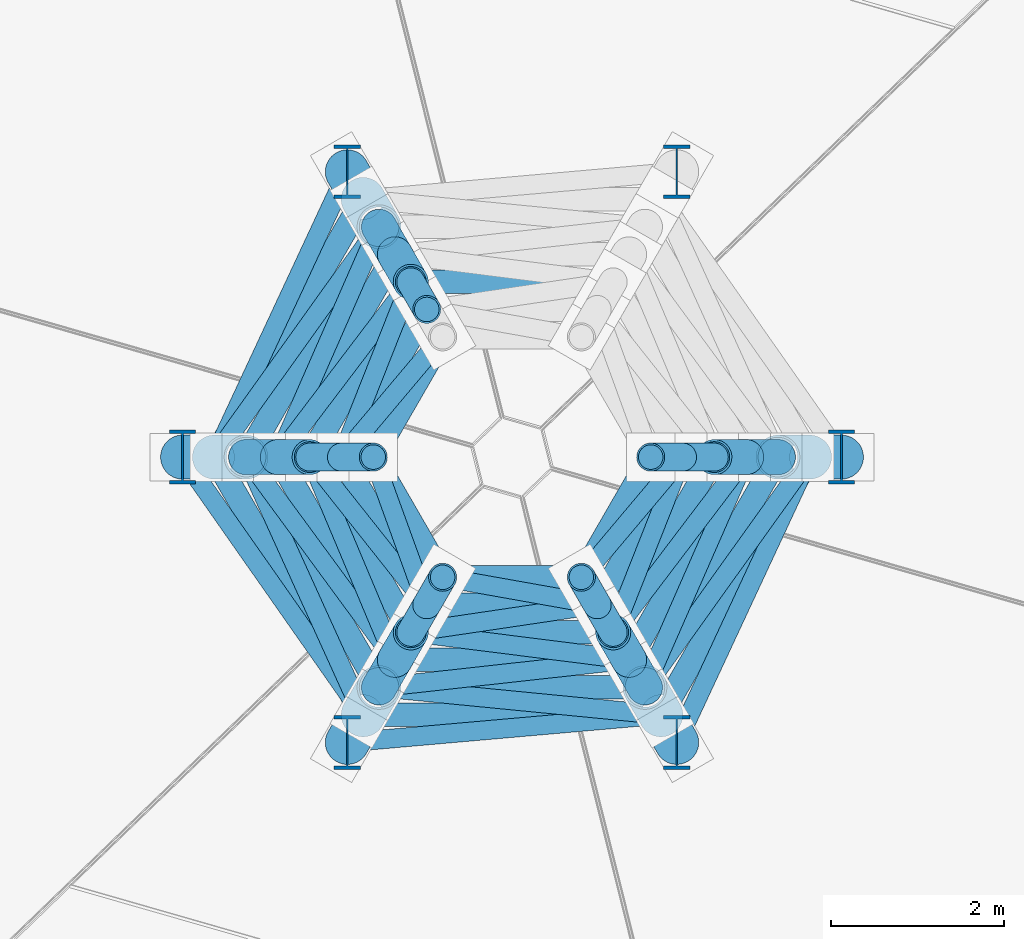
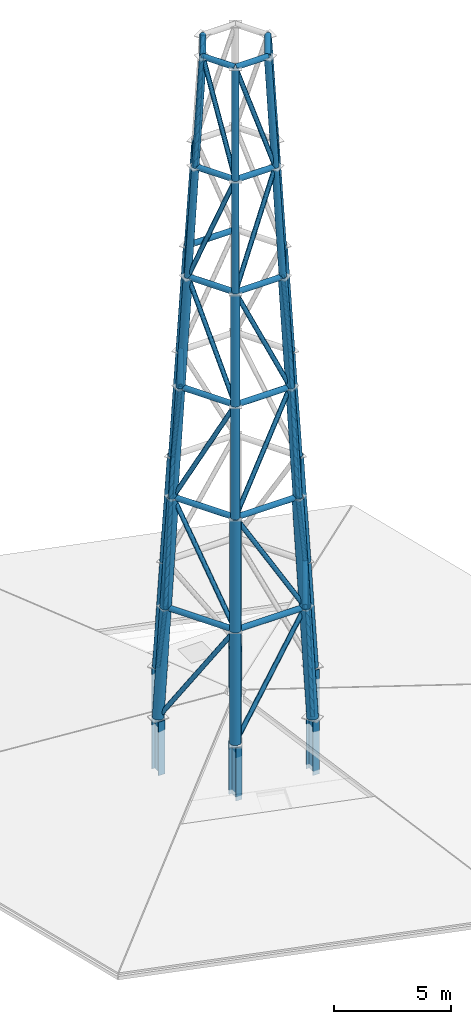
# One storey, part 1 of 4: 78 members, 6 columns.
"""IFC4 building model written with IfcOpenShell, lengths in metres."""

from ifc_helpers import new_model, si_unit, direction, frame, origin, origin_2d, place, context, subcontext, project, spatial, hollow_circle, i_section, extrude, material, material_profile, profile_set, type_object, element, save


model = new_model("IFC4")

# Units and contexts
model_context = context("Model", 3, precision=1e-05, world=origin(), true_north=direction((0.0, 1.0)))
body_context = subcontext(model_context, "Body", "Model", "MODEL_VIEW")
ifc_project = project(units=[si_unit("LENGTHUNIT", "METRE"), si_unit("AREAUNIT", "SQUARE_METRE"), si_unit("VOLUMEUNIT", "CUBIC_METRE"), si_unit("PLANEANGLEUNIT", "RADIAN"), si_unit("MASSUNIT", "GRAM", prefix="KILO")], contexts=[model_context])

# Site, building, storey
site_placement = place(None, origin())
site = spatial("IfcSite", under=ifc_project, at=site_placement, CompositionType="ELEMENT")
building_placement = place(site_placement, origin())
building = spatial("IfcBuilding", under=site, at=building_placement, Name="Kranzbogen Civic Tower", CompositionType="ELEMENT")
storey_placement = place(building_placement, frame((0.0, 0.0, 327.0)))
storey = spatial("IfcBuildingStorey", under=building, at=storey_placement, Name="Roof Crown", CompositionType="ELEMENT", Elevation=327.0)

# Columns
ifc_material = material(Name="Steel S355", Category="steel")
ifc_material_profile_1 = material_profile(ifc_material, i_section(OverallWidth=0.304931640625, OverallDepth=0.6201171875, WebThickness=0.02099609375, FlangeThickness=0.0400390625, at=origin_2d()), Name="HEM 600")
ifc_profile_set_1 = profile_set([ifc_material_profile_1], Name="Steel S355")
column_type = type_object("IfcColumnType", Name="Structural Column HEM 600", PredefinedType="COLUMN", material=ifc_profile_set_1)
for number, where, z_axis, x_axis, name in (
    (1, (28.800048828125, 25.0, -0.22998046875), (0.0, 0.0, 1.0), (1.0, 0.0, 0.0), "Broadcast Mast anchor pedestal 1"),
    (2, (26.89990234375, 28.291015625, -0.22998046875), (0.0, 0.0, 1.0), (1.0, 0.0, 0.0), "Broadcast Mast anchor pedestal 2"),
    (3, (23.10009765625, 28.291015625, -0.22998046875), (0.0, 0.0, 1.0), (1.0, 0.0, 0.0), "Broadcast Mast anchor pedestal 3"),
    (4, (21.199951171875, 25.0, -0.22998046875), (0.0, 0.0, 1.0), (1.0, 0.0, 0.0), "Broadcast Mast anchor pedestal 4"),
    (5, (23.10009765625, 21.708984375, -0.22998046875), (0.0, 0.0, 1.0), (1.0, 0.0, 0.0), "Broadcast Mast anchor pedestal 5"),
    (6, (26.89990234375, 21.708984375, -0.22998046875), (0.0, 0.0, 1.0), (1.0, 0.0, 0.0), "Broadcast Mast anchor pedestal 6"),
):
    element("IfcColumn", number, at=place(storey_placement, frame(where, z_axis=z_axis, x_axis=x_axis)), inside=storey, type_object=column_type, Name=name, PredefinedType="COLUMN", context=body_context, shape_type="SweptSolid", body=[
        extrude(i_section(OverallWidth=0.304931640625, OverallDepth=0.6201171875, WebThickness=0.02099609375, FlangeThickness=0.0400390625, at=origin_2d()), origin(), (0.0, 0.0, 1.0), 2.780029296875),
    ])

# Members
ifc_material_profile_2 = material_profile(ifc_material, hollow_circle(Radius=0.136474609375, WallThickness=0.01611328125, at=origin_2d()), Name="CHS 273x16")
ifc_profile_set_2 = profile_set([ifc_material_profile_2], Name="Steel S355")
member_type_1 = type_object("IfcMemberType", Name="Broadcast Mast Horizontal Ring CHS 273x16", PredefinedType="CHORD", material=ifc_profile_set_2)
for number, where, z_axis, x_axis, name in (
    (7, (23.282958984375, 27.972900390625, 8.19189453125), (-0.499925626596, -0.866068339032, 0.0), (0.866068339032, -0.499925626596, 0.0), "MR-1: Broadcast Mast tier 1 horizontal ring 3"),
    (8, (21.56689453125, 25.0, 8.19189453125), (0.499925626596, -0.866068339032, 0.0), (0.866068339032, 0.499925626596, 0.0), "MR-1: Broadcast Mast tier 1 horizontal ring 4"),
):
    element("IfcMember", number, at=place(storey_placement, frame(where, z_axis=z_axis, x_axis=x_axis)), inside=storey, type_object=member_type_1, Name=name, PredefinedType="CHORD", context=body_context, shape_type="SweptSolid", body=[
        extrude(hollow_circle(Radius=0.136474609375, WallThickness=0.01611328125, at=origin_2d()), origin(), (0.0, 0.0, 1.0), 3.4326171875),
    ])
member_1_placement = place(storey_placement, frame((23.282958984375, 22.027099609375, 8.19189453125), z_axis=(1.0, 0.0, 0.0), x_axis=(0.0, 1.0, 0.0)))
element("IfcMember", 9, at=member_1_placement, inside=storey, type_object=member_type_1, Name="MR-1: Broadcast Mast tier 1 horizontal ring 5", PredefinedType="CHORD", context=body_context, shape_type="SweptSolid", body=[
    extrude(hollow_circle(Radius=0.136474609375, WallThickness=0.01611328125, at=origin_2d()), origin(), (0.0, 0.0, 1.0), 3.43408203125),
])
member_2_placement = place(storey_placement, frame((26.717041015625, 22.027099609375, 8.19189453125), z_axis=(0.499925626596, 0.866068339032, 0.0), x_axis=(-0.866068339032, 0.499925626596, 0.0)))
element("IfcMember", 10, at=member_2_placement, inside=storey, type_object=member_type_1, Name="MR-1: Broadcast Mast tier 1 horizontal ring 6", PredefinedType="CHORD", context=body_context, shape_type="SweptSolid", body=[
    extrude(hollow_circle(Radius=0.136474609375, WallThickness=0.01611328125, at=origin_2d()), origin(), (0.0, 0.0, 1.0), 3.4326171875),
])
for number, where, z_axis, x_axis, name in (
    (11, (23.467041015625, 27.656005859375, 13.79296875), (-0.500119776898, -0.865956239515, 0.0), (0.865956239515, -0.500119776898, 0.0), "MR-1: Broadcast Mast tier 2 horizontal ring 3"),
    (12, (21.93310546875, 25.0, 13.79296875), (0.500119776898, -0.865956239515, 0.0), (0.865956239515, 0.500119776898, 0.0), "MR-1: Broadcast Mast tier 2 horizontal ring 4"),
):
    element("IfcMember", number, at=place(storey_placement, frame(where, z_axis=z_axis, x_axis=x_axis)), inside=storey, type_object=member_type_1, Name=name, PredefinedType="CHORD", context=body_context, shape_type="SweptSolid", body=[
        extrude(hollow_circle(Radius=0.136474609375, WallThickness=0.01611328125, at=origin_2d()), origin(), (0.0, 0.0, 1.0), 3.067138671875),
    ])
member_3_placement = place(storey_placement, frame((23.467041015625, 22.343994140625, 13.79296875), z_axis=(1.0, 0.0, 0.0), x_axis=(0.0, 1.0, 0.0)))
element("IfcMember", 13, at=member_3_placement, inside=storey, type_object=member_type_1, Name="MR-1: Broadcast Mast tier 2 horizontal ring 5", PredefinedType="CHORD", context=body_context, shape_type="SweptSolid", body=[
    extrude(hollow_circle(Radius=0.136474609375, WallThickness=0.01611328125, at=origin_2d()), origin(), (0.0, 0.0, 1.0), 3.06591796875),
])
member_4_placement = place(storey_placement, frame((26.532958984375, 22.343994140625, 13.79296875), z_axis=(0.500119776898, 0.865956239515, 0.0), x_axis=(-0.865956239515, 0.500119776898, 0.0)))
element("IfcMember", 14, at=member_4_placement, inside=storey, type_object=member_type_1, Name="MR-1: Broadcast Mast tier 2 horizontal ring 6", PredefinedType="CHORD", context=body_context, shape_type="SweptSolid", body=[
    extrude(hollow_circle(Radius=0.136474609375, WallThickness=0.01611328125, at=origin_2d()), origin(), (0.0, 0.0, 1.0), 3.067138671875),
])
for number, where, z_axis, x_axis, name in (
    (15, (23.64990234375, 27.337890625, 19.39501953125), (-0.50001992892, -0.866013897511, 0.0), (0.866013897511, -0.50001992892, 0.0), "MR-1: Broadcast Mast tier 3 horizontal ring 3"),
    (16, (22.300048828125, 25.0, 19.39501953125), (0.50001992892, -0.866013897511, 0.0), (0.866013897511, 0.50001992892, 0.0), "MR-1: Broadcast Mast tier 3 horizontal ring 4"),
):
    element("IfcMember", number, at=place(storey_placement, frame(where, z_axis=z_axis, x_axis=x_axis)), inside=storey, type_object=member_type_1, Name=name, PredefinedType="CHORD", context=body_context, shape_type="SweptSolid", body=[
        extrude(hollow_circle(Radius=0.136474609375, WallThickness=0.01611328125, at=origin_2d()), origin(), (0.0, 0.0, 1.0), 2.69970703125),
    ])
member_5_placement = place(storey_placement, frame((23.64990234375, 22.662109375, 19.39501953125), z_axis=(1.0, 0.0, 0.0), x_axis=(0.0, 1.0, 0.0)))
element("IfcMember", 17, at=member_5_placement, inside=storey, type_object=member_type_1, Name="MR-1: Broadcast Mast tier 3 horizontal ring 5", PredefinedType="CHORD", context=body_context, shape_type="SweptSolid", body=[
    extrude(hollow_circle(Radius=0.136474609375, WallThickness=0.01611328125, at=origin_2d()), origin(), (0.0, 0.0, 1.0), 2.7001953125),
])
member_6_placement = place(storey_placement, frame((26.35009765625, 22.662109375, 19.39501953125), z_axis=(0.50001992892, 0.866013897511, 0.0), x_axis=(-0.866013897511, 0.50001992892, 0.0)))
element("IfcMember", 18, at=member_6_placement, inside=storey, type_object=member_type_1, Name="MR-1: Broadcast Mast tier 3 horizontal ring 6", PredefinedType="CHORD", context=body_context, shape_type="SweptSolid", body=[
    extrude(hollow_circle(Radius=0.136474609375, WallThickness=0.01611328125, at=origin_2d()), origin(), (0.0, 0.0, 1.0), 2.69970703125),
])
member_7_placement = place(storey_placement, frame((26.1669921875, 27.02099609375, 24.9970703125), z_axis=(-1.0, 0.0, 0.0), x_axis=(0.0, -1.0, 0.0)))
element("IfcMember", 19, at=member_7_placement, inside=storey, type_object=member_type_1, Name="MR-1: Broadcast Mast tier 4 horizontal ring 2", PredefinedType="CHORD", context=body_context, shape_type="SweptSolid", body=[
    extrude(hollow_circle(Radius=0.136474609375, WallThickness=0.01611328125, at=origin_2d()), origin(), (0.0, 0.0, 1.0), 2.333984375),
])
for number, where, z_axis, x_axis, name in (
    (20, (23.8330078125, 27.02099609375, 24.9970703125), (-0.499740570122, -0.866175133893, 0.0), (0.866175133893, -0.499740570122, 0.0), "MR-1: Broadcast Mast tier 4 horizontal ring 3"),
    (21, (22.6669921875, 25.0, 24.9970703125), (0.499740570122, -0.866175133893, 0.0), (0.866175133893, 0.499740570122, 0.0), "MR-1: Broadcast Mast tier 4 horizontal ring 4"),
):
    element("IfcMember", number, at=place(storey_placement, frame(where, z_axis=z_axis, x_axis=x_axis)), inside=storey, type_object=member_type_1, Name=name, PredefinedType="CHORD", context=body_context, shape_type="SweptSolid", body=[
        extrude(hollow_circle(Radius=0.136474609375, WallThickness=0.01611328125, at=origin_2d()), origin(), (0.0, 0.0, 1.0), 2.333251953125),
    ])
member_8_placement = place(storey_placement, frame((23.8330078125, 22.97900390625, 24.9970703125), z_axis=(1.0, 0.0, 0.0), x_axis=(0.0, 1.0, 0.0)))
element("IfcMember", 22, at=member_8_placement, inside=storey, type_object=member_type_1, Name="MR-1: Broadcast Mast tier 4 horizontal ring 5", PredefinedType="CHORD", context=body_context, shape_type="SweptSolid", body=[
    extrude(hollow_circle(Radius=0.136474609375, WallThickness=0.01611328125, at=origin_2d()), origin(), (0.0, 0.0, 1.0), 2.333984375),
])
member_9_placement = place(storey_placement, frame((26.1669921875, 22.97900390625, 24.9970703125), z_axis=(0.499740570122, 0.866175133893, 0.0), x_axis=(-0.866175133893, 0.499740570122, 0.0)))
element("IfcMember", 23, at=member_9_placement, inside=storey, type_object=member_type_1, Name="MR-1: Broadcast Mast tier 4 horizontal ring 6", PredefinedType="CHORD", context=body_context, shape_type="SweptSolid", body=[
    extrude(hollow_circle(Radius=0.136474609375, WallThickness=0.01611328125, at=origin_2d()), origin(), (0.0, 0.0, 1.0), 2.333251953125),
])
for number, where, z_axis, x_axis, name in (
    (24, (24.01708984375, 26.702880859375, 30.597900390625), (-0.500370658506, -0.865811298209, 0.0), (0.865811298209, -0.500370658506, 0.0), "MR-1: Broadcast Mast tier 5 horizontal ring 3"),
    (25, (23.032958984375, 25.0, 30.597900390625), (0.500370658506, -0.865811298209, 0.0), (0.865811298209, 0.500370658506, 0.0), "MR-1: Broadcast Mast tier 5 horizontal ring 4"),
):
    element("IfcMember", number, at=place(storey_placement, frame(where, z_axis=z_axis, x_axis=x_axis)), inside=storey, type_object=member_type_1, Name=name, PredefinedType="CHORD", context=body_context, shape_type="SweptSolid", body=[
        extrude(hollow_circle(Radius=0.136474609375, WallThickness=0.01611328125, at=origin_2d()), origin(), (0.0, 0.0, 1.0), 1.966796875),
    ])
member_10_placement = place(storey_placement, frame((24.01708984375, 23.297119140625, 30.597900390625), z_axis=(1.0, 0.0, 0.0), x_axis=(0.0, 1.0, 0.0)))
element("IfcMember", 26, at=member_10_placement, inside=storey, type_object=member_type_1, Name="MR-1: Broadcast Mast tier 5 horizontal ring 5", PredefinedType="CHORD", context=body_context, shape_type="SweptSolid", body=[
    extrude(hollow_circle(Radius=0.136474609375, WallThickness=0.01611328125, at=origin_2d()), origin(), (0.0, 0.0, 1.0), 1.9658203125),
])
member_11_placement = place(storey_placement, frame((25.98291015625, 23.297119140625, 30.597900390625), z_axis=(0.500370658506, 0.865811298209, 0.0), x_axis=(-0.865811298209, 0.500370658506, 0.0)))
element("IfcMember", 27, at=member_11_placement, inside=storey, type_object=member_type_1, Name="MR-1: Broadcast Mast tier 5 horizontal ring 6", PredefinedType="CHORD", context=body_context, shape_type="SweptSolid", body=[
    extrude(hollow_circle(Radius=0.136474609375, WallThickness=0.01611328125, at=origin_2d()), origin(), (0.0, 0.0, 1.0), 1.966796875),
])
for number, where, z_axis, x_axis, name in (
    (28, (24.199951171875, 26.385986328125, 36.199951171875), (-0.499929347863, -0.866066190972, 0.0), (0.866066190972, -0.499929347863, 0.0), "MR-1: Broadcast Mast tier 6 horizontal ring 3"),
    (29, (23.39990234375, 25.0, 36.199951171875), (0.499929347863, -0.866066190972, 0.0), (0.866066190972, 0.499929347863, 0.0), "MR-1: Broadcast Mast tier 6 horizontal ring 4"),
):
    element("IfcMember", number, at=place(storey_placement, frame(where, z_axis=z_axis, x_axis=x_axis)), inside=storey, type_object=member_type_1, Name=name, PredefinedType="CHORD", context=body_context, shape_type="SweptSolid", body=[
        extrude(hollow_circle(Radius=0.136474609375, WallThickness=0.01611328125, at=origin_2d()), origin(), (0.0, 0.0, 1.0), 1.600341796875),
    ])
member_12_placement = place(storey_placement, frame((24.199951171875, 23.614013671875, 36.199951171875), z_axis=(1.0, 0.0, 0.0), x_axis=(0.0, 1.0, 0.0)))
element("IfcMember", 30, at=member_12_placement, inside=storey, type_object=member_type_1, Name="MR-1: Broadcast Mast tier 6 horizontal ring 5", PredefinedType="CHORD", context=body_context, shape_type="SweptSolid", body=[
    extrude(hollow_circle(Radius=0.136474609375, WallThickness=0.01611328125, at=origin_2d()), origin(), (0.0, 0.0, 1.0), 1.60009765625),
])
member_13_placement = place(storey_placement, frame((25.800048828125, 23.614013671875, 36.199951171875), z_axis=(0.499929347863, 0.866066190972, 0.0), x_axis=(-0.866066190972, 0.499929347863, 0.0)))
element("IfcMember", 31, at=member_13_placement, inside=storey, type_object=member_type_1, Name="MR-1: Broadcast Mast tier 6 horizontal ring 6", PredefinedType="CHORD", context=body_context, shape_type="SweptSolid", body=[
    extrude(hollow_circle(Radius=0.136474609375, WallThickness=0.01611328125, at=origin_2d()), origin(), (0.0, 0.0, 1.0), 1.600341796875),
])
ifc_material_profile_3 = material_profile(ifc_material, hollow_circle(Radius=0.109619140625, WallThickness=0.012451171875, at=origin_2d()), Name="CHS 219.1x12.5")
ifc_profile_set_3 = profile_set([ifc_material_profile_3], Name="Steel S355")
member_type_2 = type_object("IfcMemberType", Name="Broadcast Mast Lattice Brace CHS 219.1x12.5", PredefinedType="BRACE", material=ifc_profile_set_3)
member_14_placement = place(storey_placement, frame((23.10009765625, 28.291015625, 2.590087890625), z_axis=(-0.229677608897, -0.49300225604, 0.839164448431), x_axis=(0.906457817196, -0.42229637181, 0.0)))
element("IfcMember", 32, at=member_14_placement, inside=storey, type_object=member_type_2, Name="MB-1: Broadcast Mast tier 1 lattice brace 3", PredefinedType="BRACE", context=body_context, shape_type="SweptSolid", body=[
    extrude(hollow_circle(Radius=0.109619140625, WallThickness=0.012451171875, at=origin_2d()), origin(), (0.0, 0.0, 1.0), 6.675537109375),
])
member_15_placement = place(storey_placement, frame((21.199951171875, 25.0, 2.590087890625), z_axis=(0.312055244236, -0.445369984653, 0.839206232886), x_axis=(0.818975905153, 0.573827906936, 0.0)))
element("IfcMember", 33, at=member_15_placement, inside=storey, type_object=member_type_2, Name="MB-1: Broadcast Mast tier 1 lattice brace 4", PredefinedType="BRACE", context=body_context, shape_type="SweptSolid", body=[
    extrude(hollow_circle(Radius=0.109619140625, WallThickness=0.012451171875, at=origin_2d()), origin(), (0.0, 0.0, 1.0), 6.675048828125),
])
for number, where, z_axis, x_axis, name in (
    (34, (23.10009765625, 21.708984375, 2.590087890625), (0.54181499186, 0.047653387404, 0.839145797383), (-0.087613189726, 0.99615457083, 0.0), "MB-1: Broadcast Mast tier 1 lattice brace 5"),
    (35, (26.89990234375, 21.708984375, 2.590087890625), (0.229677608897, 0.49300225604, 0.839164448431), (-0.906457817196, 0.42229637181, 0.0), "MB-1: Broadcast Mast tier 1 lattice brace 6"),
):
    element("IfcMember", number, at=place(storey_placement, frame(where, z_axis=z_axis, x_axis=x_axis)), inside=storey, type_object=member_type_2, Name=name, PredefinedType="BRACE", context=body_context, shape_type="SweptSolid", body=[
        extrude(hollow_circle(Radius=0.109619140625, WallThickness=0.012451171875, at=origin_2d()), origin(), (0.0, 0.0, 1.0), 6.675537109375),
    ])
member_16_placement = place(storey_placement, frame((21.56689453125, 25.0, 8.19189453125), z_axis=(0.293070058772, 0.409650413642, 0.863884528889), x_axis=(-0.813298835843, 0.581846202718, 0.0)))
element("IfcMember", 36, at=member_16_placement, inside=storey, type_object=member_type_2, Name="MB-1: Broadcast Mast tier 2 lattice brace 3", PredefinedType="BRACE", context=body_context, shape_type="SweptSolid", body=[
    extrude(hollow_circle(Radius=0.109619140625, WallThickness=0.012451171875, at=origin_2d()), origin(), (0.0, 0.0, 1.0), 6.483642578125),
])
member_17_placement = place(storey_placement, frame((23.282958984375, 22.027099609375, 8.19189453125), z_axis=(-0.208206939567, 0.458552342758, 0.863932647414), x_axis=(-0.91053541356, -0.413431083319, 0.0)))
element("IfcMember", 37, at=member_17_placement, inside=storey, type_object=member_type_2, Name="MB-1: Broadcast Mast tier 2 lattice brace 4", PredefinedType="BRACE", context=body_context, shape_type="SweptSolid", body=[
    extrude(hollow_circle(Radius=0.109619140625, WallThickness=0.012451171875, at=origin_2d()), origin(), (0.0, 0.0, 1.0), 6.483154296875),
])
member_18_placement = place(storey_placement, frame((26.717041015625, 22.027099609375, 8.19189453125), z_axis=(-0.501277336442, 0.048877552787, 0.863905097104), x_axis=(-0.097045773386, -0.995279919353, 0.0)))
element("IfcMember", 38, at=member_18_placement, inside=storey, type_object=member_type_2, Name="MB-1: Broadcast Mast tier 2 lattice brace 5", PredefinedType="BRACE", context=body_context, shape_type="SweptSolid", body=[
    extrude(hollow_circle(Radius=0.109619140625, WallThickness=0.012451171875, at=origin_2d()), origin(), (0.0, 0.0, 1.0), 6.4833984375),
])
member_19_placement = place(storey_placement, frame((28.43310546875, 25.0, 8.19189453125), z_axis=(-0.293070058772, -0.409650413642, 0.863884528889), x_axis=(0.813298835843, -0.581846202718, 0.0)))
element("IfcMember", 39, at=member_19_placement, inside=storey, type_object=member_type_2, Name="MB-1: Broadcast Mast tier 2 lattice brace 6", PredefinedType="BRACE", context=body_context, shape_type="SweptSolid", body=[
    extrude(hollow_circle(Radius=0.109619140625, WallThickness=0.012451171875, at=origin_2d()), origin(), (0.0, 0.0, 1.0), 6.483642578125),
])
member_20_placement = place(storey_placement, frame((23.467041015625, 27.656005859375, 13.79296875), z_axis=(-0.184982531388, -0.421009405643, 0.887993549212), x_axis=(0.915524619527, -0.402261943316, 0.0)))
element("IfcMember", 40, at=member_20_placement, inside=storey, type_object=member_type_2, Name="MB-1: Broadcast Mast tier 3 lattice brace 3", PredefinedType="BRACE", context=body_context, shape_type="SweptSolid", body=[
    extrude(hollow_circle(Radius=0.109619140625, WallThickness=0.012451171875, at=origin_2d()), origin(), (0.0, 0.0, 1.0), 6.30859375),
])
for number, where, z_axis, x_axis, name in (
    (41, (21.93310546875, 25.0, 13.79296875), (0.272143943414, -0.370598748881, 0.888028288621), (0.806019487862, 0.591888997352, 0.0), "MB-1: Broadcast Mast tier 3 lattice brace 4"),
    (42, (23.467041015625, 22.343994140625, 13.79296875), (0.457017099233, 0.050427070904, 0.888027297739), (-0.109673960883, 0.993967616326, 0.0), "MB-1: Broadcast Mast tier 3 lattice brace 5"),
):
    element("IfcMember", number, at=place(storey_placement, frame(where, z_axis=z_axis, x_axis=x_axis)), inside=storey, type_object=member_type_2, Name=name, PredefinedType="BRACE", context=body_context, shape_type="SweptSolid", body=[
        extrude(hollow_circle(Radius=0.109619140625, WallThickness=0.012451171875, at=origin_2d()), origin(), (0.0, 0.0, 1.0), 6.308349609375),
    ])
member_21_placement = place(storey_placement, frame((26.532958984375, 22.343994140625, 13.79296875), z_axis=(0.184982531388, 0.421009405643, 0.887993549212), x_axis=(-0.915524619527, 0.402261943316, 0.0)))
element("IfcMember", 43, at=member_21_placement, inside=storey, type_object=member_type_2, Name="MB-1: Broadcast Mast tier 3 lattice brace 6", PredefinedType="BRACE", context=body_context, shape_type="SweptSolid", body=[
    extrude(hollow_circle(Radius=0.109619140625, WallThickness=0.012451171875, at=origin_2d()), origin(), (0.0, 0.0, 1.0), 6.30859375),
])
member_22_placement = place(storey_placement, frame((22.300048828125, 25.0, 19.39501953125), z_axis=(0.249278557611, 0.328639576351, 0.910964450223), x_axis=(-0.796731220674, 0.604333816696, 0.0)))
element("IfcMember", 44, at=member_22_placement, inside=storey, type_object=member_type_2, Name="MB-1: Broadcast Mast tier 4 lattice brace 3", PredefinedType="BRACE", context=body_context, shape_type="SweptSolid", body=[
    extrude(hollow_circle(Radius=0.109619140625, WallThickness=0.012451171875, at=origin_2d()), origin(), (0.0, 0.0, 1.0), 6.149658203125),
])
member_23_placement = place(storey_placement, frame((23.64990234375, 22.662109375, 19.39501953125), z_axis=(-0.15983902284, 0.380183428394, 0.910995086459), x_axis=(-0.92184181975, -0.38756632898, 0.0)))
element("IfcMember", 45, at=member_23_placement, inside=storey, type_object=member_type_2, Name="MB-1: Broadcast Mast tier 4 lattice brace 4", PredefinedType="BRACE", context=body_context, shape_type="SweptSolid", body=[
    extrude(hollow_circle(Radius=0.109619140625, WallThickness=0.012451171875, at=origin_2d()), origin(), (0.0, 0.0, 1.0), 6.1494140625),
])
for number, where, z_axis, x_axis, name in (
    (46, (26.35009765625, 22.662109375, 19.39501953125), (-0.409301101747, 0.051529857427, 0.910943072811), (-0.124911151794, -0.99216793143, 0.0), "MB-1: Broadcast Mast tier 4 lattice brace 5"),
    (47, (27.699951171875, 25.0, 19.39501953125), (-0.249278557611, -0.328639576351, 0.910964450223), (0.796731220674, -0.604333816696, 0.0), "MB-1: Broadcast Mast tier 4 lattice brace 6"),
):
    element("IfcMember", number, at=place(storey_placement, frame(where, z_axis=z_axis, x_axis=x_axis)), inside=storey, type_object=member_type_2, Name=name, PredefinedType="BRACE", context=body_context, shape_type="SweptSolid", body=[
        extrude(hollow_circle(Radius=0.109619140625, WallThickness=0.012451171875, at=origin_2d()), origin(), (0.0, 0.0, 1.0), 6.149658203125),
    ])
member_24_placement = place(storey_placement, frame((23.8330078125, 27.02099609375, 24.9970703125), z_axis=(-0.133168094115, -0.336394715619, 0.932257933199), x_axis=(0.929795401587, -0.368076773496, 0.0)))
element("IfcMember", 48, at=member_24_placement, inside=storey, type_object=member_type_2, Name="MB-1: Broadcast Mast tier 5 lattice brace 3", PredefinedType="BRACE", context=body_context, shape_type="SweptSolid", body=[
    extrude(hollow_circle(Radius=0.109619140625, WallThickness=0.012451171875, at=origin_2d()), origin(), (0.0, 0.0, 1.0), 6.0078125),
])
member_25_placement = place(storey_placement, frame((22.6669921875, 25.0, 24.9970703125), z_axis=(0.22472972711, -0.283452051825, 0.932282942067), x_axis=(0.783601402131, 0.621263907352, 0.0)))
element("IfcMember", 49, at=member_25_placement, inside=storey, type_object=member_type_2, Name="MB-1: Broadcast Mast tier 5 lattice brace 4", PredefinedType="BRACE", context=body_context, shape_type="SweptSolid", body=[
    extrude(hollow_circle(Radius=0.109619140625, WallThickness=0.012451171875, at=origin_2d()), origin(), (0.0, 0.0, 1.0), 6.007568359375),
])
for number, where, z_axis, x_axis, name in (
    (50, (23.8330078125, 22.97900390625, 24.9970703125), (0.357857233035, 0.052951166778, 0.932273765962), (-0.146373595832, 0.989229382117, 0.0), "MB-1: Broadcast Mast tier 5 lattice brace 5"),
    (51, (26.1669921875, 22.97900390625, 24.9970703125), (0.133168094115, 0.336394715619, 0.932257933199), (-0.929795401587, 0.368076773496, 0.0), "MB-1: Broadcast Mast tier 5 lattice brace 6"),
):
    element("IfcMember", number, at=place(storey_placement, frame(where, z_axis=z_axis, x_axis=x_axis)), inside=storey, type_object=member_type_2, Name=name, PredefinedType="BRACE", context=body_context, shape_type="SweptSolid", body=[
        extrude(hollow_circle(Radius=0.109619140625, WallThickness=0.012451171875, at=origin_2d()), origin(), (0.0, 0.0, 1.0), 6.0078125),
    ])
for number, where, z_axis, x_axis, name in (
    (52, (23.032958984375, 25.0, 30.597900390625), (0.198206240321, 0.235401009687, 0.951472885024), (-0.764953127185, 0.644085951725, 0.0), "MB-1: Broadcast Mast tier 6 lattice brace 3"),
    (53, (24.01708984375, 23.297119140625, 30.597900390625), (-0.104828575511, 0.289232323652, 0.951501777566), (-0.940154957666, -0.340747201861, 0.0), "MB-1: Broadcast Mast tier 6 lattice brace 4"),
):
    element("IfcMember", number, at=place(storey_placement, frame(where, z_axis=z_axis, x_axis=x_axis)), inside=storey, type_object=member_type_2, Name=name, PredefinedType="BRACE", context=body_context, shape_type="SweptSolid", body=[
        extrude(hollow_circle(Radius=0.109619140625, WallThickness=0.012451171875, at=origin_2d()), origin(), (0.0, 0.0, 1.0), 5.8876953125),
    ])
member_26_placement = place(storey_placement, frame((25.98291015625, 23.297119140625, 30.597900390625), z_axis=(-0.302839434997, 0.05382522068, 0.951520426596), x_axis=(-0.174992676449, -0.984569735057, 0.0)))
element("IfcMember", 54, at=member_26_placement, inside=storey, type_object=member_type_2, Name="MB-1: Broadcast Mast tier 6 lattice brace 5", PredefinedType="BRACE", context=body_context, shape_type="SweptSolid", body=[
    extrude(hollow_circle(Radius=0.109619140625, WallThickness=0.012451171875, at=origin_2d()), origin(), (0.0, 0.0, 1.0), 5.887451171875),
])
member_27_placement = place(storey_placement, frame((26.967041015625, 25.0, 30.597900390625), z_axis=(-0.198206240321, -0.235401009687, 0.951472885024), x_axis=(0.764953127185, -0.644085951725, 0.0)))
element("IfcMember", 55, at=member_27_placement, inside=storey, type_object=member_type_2, Name="MB-1: Broadcast Mast tier 6 lattice brace 6", PredefinedType="BRACE", context=body_context, shape_type="SweptSolid", body=[
    extrude(hollow_circle(Radius=0.109619140625, WallThickness=0.012451171875, at=origin_2d()), origin(), (0.0, 0.0, 1.0), 5.8876953125),
])
ifc_material_profile_4 = material_profile(ifc_material, hollow_circle(Radius=0.25390625, WallThickness=0.02490234375, at=origin_2d()), Name="CHS 508x25")
ifc_profile_set_4 = profile_set([ifc_material_profile_4], Name="Steel S355")
member_type_3 = type_object("IfcMemberType", Name="Broadcast Mast Lower Leg CHS 508x25", PredefinedType="POST", material=ifc_profile_set_4)
for number, where, z_axis, x_axis, name in (
    (56, (28.800048828125, 25.0, 2.590087890625), (-0.065364383413, 0.0, 0.997861462018), (0.0, -1.0, 0.0), "Broadcast Mast tier 1 leg 1"),
    (57, (23.10009765625, 28.291015625, 2.590087890625), (0.032573474644, -0.056666538666, 0.997861649802), (0.866970988391, 0.498358611132, 0.0), "Broadcast Mast tier 1 leg 3"),
    (58, (21.199951171875, 25.0, 2.590087890625), (0.065364383413, 0.0, 0.997861462018), (0.0, 1.0, 0.0), "Broadcast Mast tier 1 leg 4"),
    (59, (23.10009765625, 21.708984375, 2.590087890625), (0.032573474644, 0.056666538666, 0.997861649802), (-0.866970988391, 0.498358611132, 0.0), "Broadcast Mast tier 1 leg 5"),
    (60, (26.89990234375, 21.708984375, 2.590087890625), (-0.032573474644, 0.056666538666, 0.997861649802), (-0.866970988391, -0.498358611132, 0.0), "Broadcast Mast tier 1 leg 6"),
):
    element("IfcMember", number, at=place(storey_placement, frame(where, z_axis=z_axis, x_axis=x_axis)), inside=storey, type_object=member_type_3, Name=name, PredefinedType="POST", context=body_context, shape_type="SweptSolid", body=[
        extrude(hollow_circle(Radius=0.25390625, WallThickness=0.02490234375, at=origin_2d()), origin(), (0.0, 0.0, 1.0), 5.61376953125),
    ])
for number, where, z_axis, x_axis, name in (
    (61, (28.43310546875, 25.0, 8.19189453125), (-0.065242965392, 0.0, 0.997869408022), (0.0, -1.0, 0.0), "Broadcast Mast tier 2 leg 1"),
    (62, (23.282958984375, 27.972900390625, 8.19189453125), (0.032795360945, -0.05645673542, 0.99786627427), (0.864695615284, 0.502296220281, 0.0), "Broadcast Mast tier 2 leg 3"),
    (63, (21.56689453125, 25.0, 8.19189453125), (0.065242965392, 0.0, 0.997869408022), (0.0, 1.0, 0.0), "Broadcast Mast tier 2 leg 4"),
    (64, (23.282958984375, 22.027099609375, 8.19189453125), (0.032795360945, 0.05645673542, 0.99786627427), (-0.864695615284, 0.502296220281, 0.0), "Broadcast Mast tier 2 leg 5"),
    (65, (26.717041015625, 22.027099609375, 8.19189453125), (-0.032795360945, 0.05645673542, 0.99786627427), (-0.864695615284, -0.502296220281, 0.0), "Broadcast Mast tier 2 leg 6"),
):
    element("IfcMember", number, at=place(storey_placement, frame(where, z_axis=z_axis, x_axis=x_axis)), inside=storey, type_object=member_type_3, Name=name, PredefinedType="POST", context=body_context, shape_type="SweptSolid", body=[
        extrude(hollow_circle(Radius=0.25390625, WallThickness=0.02490234375, at=origin_2d()), origin(), (0.0, 0.0, 1.0), 5.613037109375),
    ])
ifc_material_profile_5 = material_profile(ifc_material, hollow_circle(Radius=0.203125, WallThickness=0.02490234375, at=origin_2d()), Name="CHS 406.4x25")
ifc_profile_set_5 = profile_set([ifc_material_profile_5], Name="Steel S355")
member_type_4 = type_object("IfcMemberType", Name="Broadcast Mast Mid Leg CHS 406.4x25", PredefinedType="POST", material=ifc_profile_set_5)
for number, where, z_axis, x_axis, name in (
    (66, (28.06689453125, 25.0, 13.79296875), (-0.065361546965, 0.0, 0.997861647814), (0.0, -1.0, 0.0), "Broadcast Mast tier 3 leg 1"),
    (67, (23.467041015625, 27.656005859375, 13.79296875), (0.032572061137, -0.056664079655, 0.997861835582), (0.866970988391, 0.498358611132, 0.0), "Broadcast Mast tier 3 leg 3"),
    (68, (21.93310546875, 25.0, 13.79296875), (0.065361546965, 0.0, 0.997861647814), (0.0, 1.0, 0.0), "Broadcast Mast tier 3 leg 4"),
    (69, (23.467041015625, 22.343994140625, 13.79296875), (0.032572061137, 0.056664079655, 0.997861835582), (-0.866970988391, 0.498358611132, 0.0), "Broadcast Mast tier 3 leg 5"),
    (70, (26.532958984375, 22.343994140625, 13.79296875), (-0.032572061137, 0.056664079655, 0.997861835582), (-0.866970988391, -0.498358611132, 0.0), "Broadcast Mast tier 3 leg 6"),
    (71, (27.699951171875, 25.0, 19.39501953125), (-0.065361546965, 0.0, 0.997861647814), (0.0, -1.0, 0.0), "Broadcast Mast tier 4 leg 1"),
    (72, (23.64990234375, 27.337890625, 19.39501953125), (0.032615903392, -0.056447256803, 0.997872692304), (0.86585223051, 0.500299825025, 0.0), "Broadcast Mast tier 4 leg 3"),
    (73, (22.300048828125, 25.0, 19.39501953125), (0.065361546965, 0.0, 0.997861647814), (0.0, 1.0, 0.0), "Broadcast Mast tier 4 leg 4"),
    (74, (23.64990234375, 22.662109375, 19.39501953125), (0.032615903392, 0.056447256803, 0.997872692304), (-0.86585223051, 0.500299825025, 0.0), "Broadcast Mast tier 4 leg 5"),
    (75, (26.35009765625, 22.662109375, 19.39501953125), (-0.032615903392, 0.056447256803, 0.997872692304), (-0.86585223051, -0.500299825025, 0.0), "Broadcast Mast tier 4 leg 6"),
):
    element("IfcMember", number, at=place(storey_placement, frame(where, z_axis=z_axis, x_axis=x_axis)), inside=storey, type_object=member_type_4, Name=name, PredefinedType="POST", context=body_context, shape_type="SweptSolid", body=[
        extrude(hollow_circle(Radius=0.203125, WallThickness=0.02490234375, at=origin_2d()), origin(), (0.0, 0.0, 1.0), 5.614013671875),
    ])
ifc_material_profile_6 = material_profile(ifc_material, hollow_circle(Radius=0.161865234375, WallThickness=0.02001953125, at=origin_2d()), Name="CHS 323.9x20")
ifc_profile_set_6 = profile_set([ifc_material_profile_6], Name="Steel S355")
member_type_5 = type_object("IfcMemberType", Name="Broadcast Mast Upper Leg CHS 323.9x20", PredefinedType="POST", material=ifc_profile_set_6)
for number, where, z_axis, x_axis, name in (
    (76, (27.3330078125, 25.0, 24.9970703125), (-0.065202485018, 0.0, 0.997872053896), (0.0, -1.0, 0.0), "Broadcast Mast tier 5 leg 1"),
    (77, (23.8330078125, 27.02099609375, 24.9970703125), (0.032796380922, -0.056675973927, 0.997853812629), (0.865532382492, 0.500852967305, 0.0), "Broadcast Mast tier 5 leg 3"),
    (78, (22.6669921875, 25.0, 24.9970703125), (0.065202485018, 0.0, 0.997872053896), (0.0, 1.0, 0.0), "Broadcast Mast tier 5 leg 4"),
    (79, (23.8330078125, 22.97900390625, 24.9970703125), (0.032796380922, 0.056675973927, 0.997853812629), (-0.865532382492, 0.500852967305, 0.0), "Broadcast Mast tier 5 leg 5"),
    (80, (26.1669921875, 22.97900390625, 24.9970703125), (-0.032796380922, 0.056675973927, 0.997853812629), (-0.865532382492, -0.500852967305, 0.0), "Broadcast Mast tier 5 leg 6"),
):
    element("IfcMember", number, at=place(storey_placement, frame(where, z_axis=z_axis, x_axis=x_axis)), inside=storey, type_object=member_type_5, Name=name, PredefinedType="POST", context=body_context, shape_type="SweptSolid", body=[
        extrude(hollow_circle(Radius=0.161865234375, WallThickness=0.02001953125, at=origin_2d()), origin(), (0.0, 0.0, 1.0), 5.61279296875),
    ])
for number, where, z_axis, x_axis, name in (
    (81, (26.967041015625, 25.0, 30.597900390625), (-0.065361546965, 0.0, 0.997861647814), (0.0, -1.0, 0.0), "Broadcast Mast tier 6 leg 1"),
    (82, (23.032958984375, 25.0, 30.597900390625), (0.065361546965, 0.0, 0.997861647814), (0.0, 1.0, 0.0), "Broadcast Mast tier 6 leg 4"),
    (83, (24.01708984375, 23.297119140625, 30.597900390625), (0.03257246169, 0.056447336815, 0.997874106742), (-0.866141146063, 0.499799474886, 0.0), "Broadcast Mast tier 6 leg 5"),
    (84, (25.98291015625, 23.297119140625, 30.597900390625), (-0.03257246169, 0.056447336815, 0.997874106742), (-0.866141146063, -0.499799474886, 0.0), "Broadcast Mast tier 6 leg 6"),
):
    element("IfcMember", number, at=place(storey_placement, frame(where, z_axis=z_axis, x_axis=x_axis)), inside=storey, type_object=member_type_5, Name=name, PredefinedType="POST", context=body_context, shape_type="SweptSolid", body=[
        extrude(hollow_circle(Radius=0.161865234375, WallThickness=0.02001953125, at=origin_2d()), origin(), (0.0, 0.0, 1.0), 5.614013671875),
    ])

save(model, "model.ifc")
